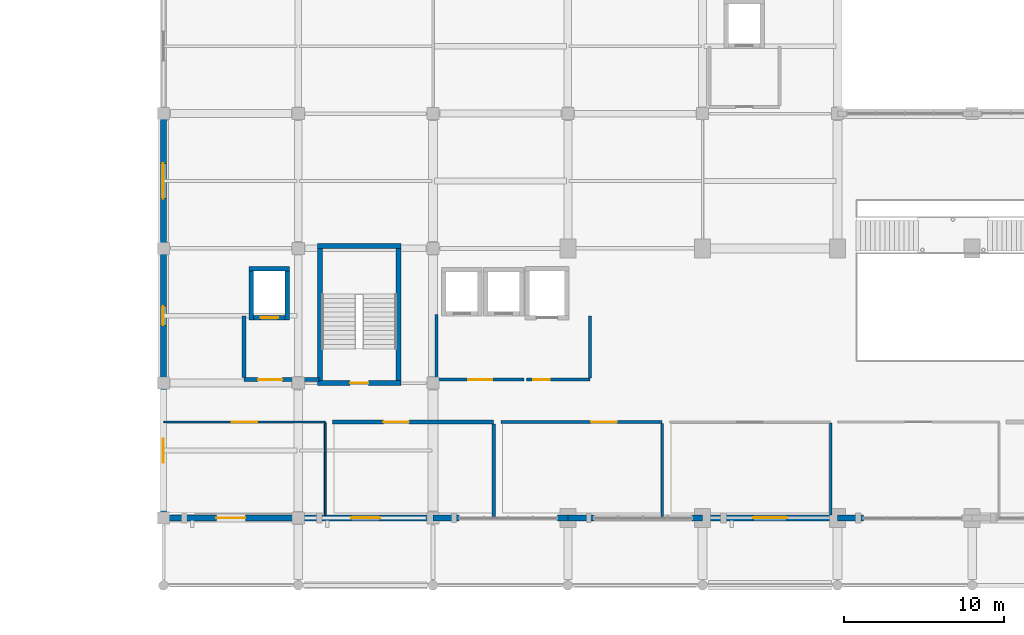
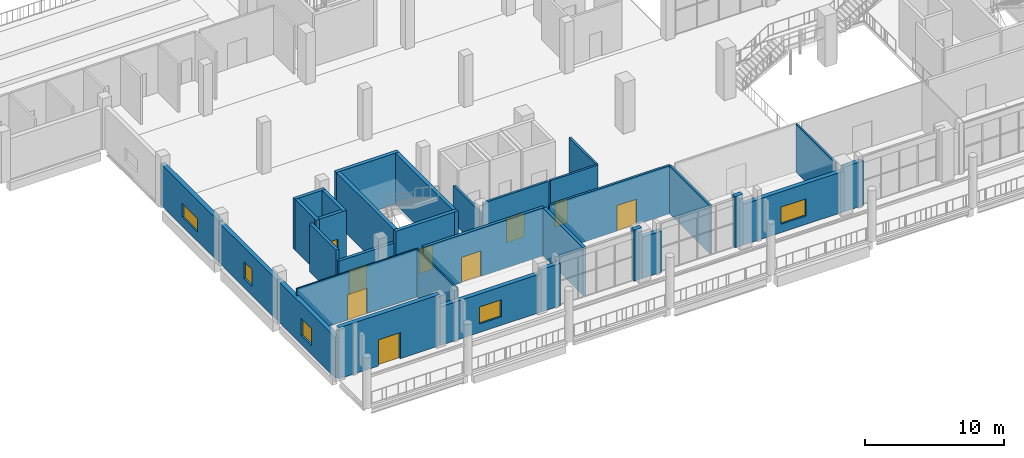
# One storey, part 56 of 75: 32 walls, 9 doors, 5 windows, 14 openings.
"""IFC4 building model written with IfcOpenShell, lengths in metres."""

import ifcopenshell
import ifcopenshell.guid

model = None  # the IFC model being written
_history = None  # IfcOwnerHistory: only IFC2X3 demands one
_inside = {}  # id of a spatial element -> (the spatial element, [elements in it])
_under = {}  # id of a project, library or spatial element -> (it, [spatial elements below it])
_declared = {}  # id of a project -> (the project, [libraries it declares])
_typed = {}  # id of a type object -> (the type object, [elements of that type])
_made_of = {}  # id of a material, layer set ... -> (it, [elements and type objects made of it])


def new_model(schema):
    """Start an empty IFC model of exactly this schema.

    Asked for "IFC4X3", IfcOpenShell would pick the latest addendum, in which some entities
    have other attributes; the version numbers below select the first issue.
    IFC2X3 requires an IfcOwnerHistory on every rooted entity: one is made here for all.
    """
    global model, _history
    if schema == "IFC4X3":
        model = ifcopenshell.file(schema_version=(4, 3, 0, 0))
    else:
        model = ifcopenshell.file(schema=schema)
    _inside.clear()
    _under.clear()
    _declared.clear()
    _typed.clear()
    _made_of.clear()
    _history = None
    if model.schema == "IFC2X3":
        org = make("IfcOrganization", Name="unknown")
        user = make(
            "IfcPersonAndOrganization",
            ThePerson=make("IfcPerson", FamilyName="unknown"),
            TheOrganization=org,
        )
        app = make(
            "IfcApplication",
            ApplicationDeveloper=org,
            Version="unknown",
            ApplicationFullName="unknown",
            ApplicationIdentifier="unknown",
        )
        _history = make(
            "IfcOwnerHistory",
            OwningUser=user,
            OwningApplication=app,
            ChangeAction="ADDED",
            CreationDate=0,
        )
    return model


def make(cls, **values):
    """One entity of the class cls with the attributes given. An attribute that is None is left unset."""
    return model.create_entity(
        cls, **{name: value for name, value in values.items() if value is not None}
    )


def rooted(cls, **values):
    """An entity with a GlobalId (a new one), such as an element, a storey or a relation."""
    return make(cls, GlobalId=ifcopenshell.guid.new(), OwnerHistory=_history, **values)


def si_unit(unit_type, name, prefix=None):
    """IfcSIUnit, for example si_unit("LENGTHUNIT", "METRE", prefix="MILLI")."""
    return make("IfcSIUnit", UnitType=unit_type, Prefix=prefix, Name=name)


def derived_unit(unit_type, elements):
    """IfcDerivedUnit: a product of units, each with its exponent."""
    return make(
        "IfcDerivedUnit",
        Elements=[
            make("IfcDerivedUnitElement", Unit=unit, Exponent=power)
            for unit, power in elements
        ],
        UnitType=unit_type,
    )


def assignment(units):
    """IfcUnitAssignment: the units of a project."""
    return None if units is None else make("IfcUnitAssignment", Units=units)


def point(xyz):
    """IfcCartesianPoint."""
    return None if xyz is None else make("IfcCartesianPoint", Coordinates=xyz)


def direction(xyz):
    """IfcDirection."""
    return None if xyz is None else make("IfcDirection", DirectionRatios=xyz)


def frame(location, z_axis=None, x_axis=None):
    """IfcAxis2Placement3D, a coordinate frame: its origin and axes. An axis left out is left unset."""
    return make(
        "IfcAxis2Placement3D",
        Location=point(location),
        Axis=direction(z_axis),
        RefDirection=direction(x_axis),
    )


def frame_2d(location, x_axis=None):
    """IfcAxis2Placement2D, a coordinate frame in the plane: its origin and x axis."""
    return make(
        "IfcAxis2Placement2D", Location=point(location), RefDirection=direction(x_axis)
    )


def origin():
    """The frame at (0, 0, 0) with its axes left unset."""
    return frame((0.0, 0.0, 0.0))


def place(relative_to, where):
    """IfcLocalPlacement: puts the frame where relative to a parent placement (None: the world)."""
    return make(
        "IfcLocalPlacement", PlacementRelTo=relative_to, RelativePlacement=where
    )


def context(
    kind, dimensions, precision=None, world=None, true_north=None, identifier=None
):
    """IfcGeometricRepresentationContext, for example the 3D "Model" context."""
    return make(
        "IfcGeometricRepresentationContext",
        ContextIdentifier=identifier,
        ContextType=kind,
        CoordinateSpaceDimension=dimensions,
        Precision=precision,
        WorldCoordinateSystem=world,
        TrueNorth=true_north,
    )


def subcontext(parent, identifier, kind, view, scale=None):
    """IfcGeometricRepresentationSubContext, for example "Body" below "Model"."""
    return make(
        "IfcGeometricRepresentationSubContext",
        ContextIdentifier=identifier,
        ContextType=kind,
        ParentContext=parent,
        TargetScale=scale,
        TargetView=view,
    )


def project(units=None, contexts=None):
    """IfcProject with its units and contexts."""
    return rooted(
        "IfcProject",
        Name="project",
        RepresentationContexts=contexts,
        UnitsInContext=assignment(units),
    )


def spatial(cls, under=None, at=None, **own):
    """A site, building, storey or space (cls), placed at a placement, below another one or the project."""
    s = rooted(cls, ObjectPlacement=at, **own)
    if under is not None:
        _under.setdefault(under.id(), (under, []))[1].append(s)
    return s


def profile(cls, at=None, kind="AREA", **sizes):
    """A parametric profile (cls). Its sizes go by their IFC names, for example OverallWidth=200.0."""
    return make(cls, ProfileType=kind, Position=at, **sizes)


def rectangle(**sizes):
    """IfcRectangleProfileDef."""
    return profile("IfcRectangleProfileDef", **sizes)


def extrude(swept, where, along, depth):
    """IfcExtrudedAreaSolid: the profile swept, set in the frame where, extruded along a direction by depth."""
    return make(
        "IfcExtrudedAreaSolid",
        SweptArea=swept,
        Position=where,
        ExtrudedDirection=direction(along),
        Depth=depth,
    )


def shape(context_of_items, identifier, shape_type, items):
    """IfcShapeRepresentation: the items that make up one representation, for example the "Body"."""
    return make(
        "IfcShapeRepresentation",
        ContextOfItems=context_of_items,
        RepresentationIdentifier=identifier,
        RepresentationType=shape_type,
        Items=items,
    )


def material(Name=None, Category=None):
    """IfcMaterial."""
    return make("IfcMaterial", Name=Name, Category=Category)


def layer(
    of_material, thickness, ventilated=None, Name=None, Category=None, Priority=None
):
    """IfcMaterialLayer: one layer of a wall or slab, of a material (None: an air gap)."""
    return make(
        "IfcMaterialLayer",
        Material=of_material,
        LayerThickness=thickness,
        IsVentilated=ventilated,
        Name=Name,
        Category=Category,
        Priority=Priority,
    )


def layer_set(layers, Name=None):
    """IfcMaterialLayerSet."""
    return make("IfcMaterialLayerSet", MaterialLayers=layers, LayerSetName=Name)


def made_of(thing, what):
    """Note that an element or type object is made of a material, layer set ...; save() writes the relation."""
    if what is not None:
        _made_of.setdefault(what.id(), (what, []))[1].append(thing)
    return thing


def type_object(cls, material=None, **own):
    """A type object (cls), such as IfcWallType, which elements share."""
    return made_of(rooted(cls, **own), material)


def element(
    cls,
    number,
    at=None,
    inside=None,
    cuts=None,
    type_object=None,
    material=None,
    context=None,
    identifier="Body",
    shape_type=None,
    held_by="IfcProductDefinitionShape",
    body=None,
    shapes=None,
    **own,
):
    """One element of the class cls, such as IfcWall. Its Tag is "e" and its number.

    at: its placement. inside: the storey or other place that contains it. cuts: it is an
    opening in that element (IfcRelVoidsElement). A single representation is given by context,
    identifier, shape_type and body (its items); several are given by shapes. held_by: the class
    of the entity that holds the representations. save() writes the other relations.
    """
    e = rooted(cls, Tag="e%d" % number, ObjectPlacement=at, **own)
    if body is not None:
        shapes = [shape(context, identifier, shape_type, body)]
    if shapes is not None:
        e.Representation = make(held_by, Representations=shapes)
    if inside is not None:
        _inside.setdefault(inside.id(), (inside, []))[1].append(e)
    if cuts is not None:
        rooted(
            "IfcRelVoidsElement", RelatingBuildingElement=cuts, RelatedOpeningElement=e
        )
    if type_object is not None:
        _typed.setdefault(type_object.id(), (type_object, []))[1].append(e)
    return made_of(e, material)


def fill(opening, filler):
    """IfcRelFillsElement: the door or window that sits in an opening."""
    return rooted(
        "IfcRelFillsElement",
        RelatingOpeningElement=opening,
        RelatedBuildingElement=filler,
    )


def aggregate(whole, parts):
    """IfcRelAggregates: a whole, such as a stair, and the parts it consists of."""
    return rooted("IfcRelAggregates", RelatingObject=whole, RelatedObjects=parts)


def save(model, path):
    """Write the relations noted so far, then the file.

    IfcRelAggregates (storeys below a building ...), IfcRelContainedInSpatialStructure (elements
    in a storey), IfcRelDefinesByType, IfcRelAssociatesMaterial and IfcRelDeclares: one each for
    every whole, place, type object, material and project.
    """
    for whole, parts in _under.values():
        aggregate(whole, parts)
    for where, things in _inside.values():
        rooted(
            "IfcRelContainedInSpatialStructure",
            RelatedElements=things,
            RelatingStructure=where,
        )
    for kind, things in _typed.values():
        rooted("IfcRelDefinesByType", RelatedObjects=things, RelatingType=kind)
    for what, things in _made_of.values():
        rooted("IfcRelAssociatesMaterial", RelatedObjects=things, RelatingMaterial=what)
    for by, libraries in _declared.values():
        rooted("IfcRelDeclares", RelatingContext=by, RelatedDefinitions=libraries)
    model.write(path)


model = new_model("IFC4")

# Units and contexts
model_context = context("Model", 3, precision=1e-05, world=origin(), true_north=direction((0.0, 1.0)))
body_context = subcontext(model_context, "Body", "Model", "MODEL_VIEW")
ifc_project = project(units=[si_unit("LENGTHUNIT", "METRE"), si_unit("AREAUNIT", "SQUARE_METRE"), si_unit("VOLUMEUNIT", "CUBIC_METRE"), si_unit("PLANEANGLEUNIT", "RADIAN"), si_unit("MASSUNIT", "GRAM", prefix="KILO"), derived_unit("THERMALTRANSMITTANCEUNIT", [(si_unit("POWERUNIT", "WATT"), 1), (si_unit("LENGTHUNIT", "METRE"), -2), (si_unit("THERMODYNAMICTEMPERATUREUNIT", "KELVIN"), -1)])], contexts=[model_context])

# Site, building, storey
site_placement = place(None, origin())
site = spatial("IfcSite", under=ifc_project, at=site_placement, CompositionType="ELEMENT")
building_placement = place(site_placement, origin())
building = spatial("IfcBuilding", under=site, at=building_placement, Name="Barrovel Congress Hotel", CompositionType="ELEMENT")
storey_placement = place(building_placement, frame((0.0, 0.0, 5.39990234375)))
storey = spatial("IfcBuildingStorey", under=building, at=storey_placement, Name="L01", CompositionType="ELEMENT", Elevation=5.39990234375)

# Wall, opening, door
ifc_material_1 = material(Name="Fired Clay Brick Masonry", Category="masonry")
ifc_layer_1 = layer(ifc_material_1, 0.360107421875)
ifc_layer_set_1 = layer_set([ifc_layer_1], Name="Fired Clay Brick Masonry")
wall_type_1 = type_object("IfcWallType", Name="EW-BRK360", PredefinedType="STANDARD", material=ifc_layer_set_1)
wall_1_placement = place(storey_placement, frame((16.800048828125, 4.199951171875, 0.0), z_axis=(0.0, 0.0, 1.0), x_axis=(1.0, 0.0, 0.0)))
wall_1 = element("IfcWall", 1, at=wall_1_placement, inside=storey, type_object=wall_type_1, Name="EW:L01:S:02", PredefinedType="STANDARD", context=body_context, shape_type="SweptSolid", body=[
    extrude(rectangle(XDim=8.39990234375, YDim=0.360107421875, at=frame_2d((4.199951171875, 0.0))), origin(), (0.0, 0.0, 1.0), 4.5),
])
opening_1_placement = place(wall_1_placement, frame((5.10009765625, 0.0, 0.0), z_axis=(0.0, 0.0, 1.0), x_axis=(-1.0, 0.0, 0.0)))
opening_1 = element("IfcOpeningElement", 2, at=opening_1_placement, cuts=wall_1, Name="Opening ED-03", PredefinedType="OPENING", context=body_context, shape_type="SweptSolid", body=[
    extrude(rectangle(XDim=1.800048828125, YDim=2.300048828125, at=frame_2d((0.89990234375, 1.14990234375))), frame((0.0, 0.18994140625, 0.0), z_axis=(0.0, -1.0, 0.0), x_axis=(1.0, 0.0, 0.0)), (0.0, 0.0, 1.0), 0.380126953125),
])
ifc_material_2 = material(Name="Anodised Aluminium Glazed Door", Category="aluminium")
door_type_1 = type_object("IfcDoorType", Name="EDR-ED-03", OperationType="NOTDEFINED", PredefinedType="DOOR", material=ifc_material_2)
door_1_placement = place(opening_1_placement, origin())
door_1 = element("IfcDoor", 3, at=door_1_placement, inside=storey, type_object=door_type_1, Name="Arcade Promenade Terrace Door 1", OperationType="DOUBLE_DOOR_SINGLE_SWING", OverallHeight=2.300048828125, OverallWidth=1.800048828125, PredefinedType="DOOR", context=body_context, shape_type="SweptSolid", body=[
    extrude(rectangle(XDim=1.800048828125, YDim=2.300048828125, at=frame_2d((0.89990234375, 1.14990234375))), frame((0.0, 0.02490234375, 0.0), z_axis=(0.0, -1.0, 0.0), x_axis=(1.0, 0.0, 0.0)), (0.0, 0.0, 1.0), 0.050048828125),
])
fill(opening_1, door_1)

# Wall, opening, window
wall_2_placement = place(storey_placement, frame((25.199951171875, 4.199951171875, 0.0), z_axis=(0.0, 0.0, 1.0), x_axis=(1.0, 0.0, 0.0)))
wall_2 = element("IfcWall", 4, at=wall_2_placement, inside=storey, type_object=wall_type_1, Name="EW:L01:S:03", PredefinedType="STANDARD", context=body_context, shape_type="SweptSolid", body=[
    extrude(rectangle(XDim=8.400146484375, YDim=0.360107421875, at=frame_2d((4.2001953125, 0.0))), origin(), (0.0, 0.0, 1.0), 3.39013671875),
])
opening_2_placement = place(wall_2_placement, frame((3.300048828125, 0.0, 0.75)))
opening_2 = element("IfcOpeningElement", 5, at=opening_2_placement, cuts=wall_2, Name="Opening WN-08", PredefinedType="OPENING", context=body_context, shape_type="SweptSolid", body=[
    extrude(rectangle(XDim=1.800048828125, YDim=1.5, at=frame_2d((0.89990234375, 0.75))), frame((0.0, 0.18994140625, 0.0), z_axis=(0.0, -1.0, 0.0), x_axis=(1.0, 0.0, 0.0)), (0.0, 0.0, 1.0), 0.380126953125),
])
ifc_material_3 = material(Name="Double Low-E Insulated Glazing", Category="glass")
window_type_1 = type_object("IfcWindowType", Name="WIN-WN-08", PartitioningType="SINGLE_PANEL", PredefinedType="WINDOW", material=ifc_material_3)
window_1_placement = place(opening_2_placement, origin())
window_1 = element("IfcWindow", 6, at=window_1_placement, inside=storey, type_object=window_type_1, Name="WIN:L01:S:03", OverallHeight=1.5, OverallWidth=1.800048828125, PartitioningType="SINGLE_PANEL", PredefinedType="WINDOW", context=body_context, shape_type="SweptSolid", body=[
    extrude(rectangle(XDim=1.800048828125, YDim=1.5, at=frame_2d((0.89990234375, 0.75))), frame((0.0, 0.030029296875, 0.0), z_axis=(0.0, -1.0, 0.0), x_axis=(1.0, 0.0, 0.0)), (0.0, 0.0, 1.0), 0.06005859375),
])
fill(opening_2, window_1)

# Walls
wall_3_placement = place(storey_placement, frame((33.60009765625, 4.199951171875, 0.0), z_axis=(0.0, 0.0, 1.0), x_axis=(1.0, 0.0, 0.0)))
element("IfcWall", 7, at=wall_3_placement, inside=storey, type_object=wall_type_1, Name="EW:L01:SJ-L:4", PredefinedType="STANDARD", context=body_context, shape_type="SweptSolid", body=[
    extrude(rectangle(XDim=1.619873046875, YDim=0.360107421875, at=frame_2d((0.81005859375, 0.0))), origin(), (0.0, 0.0, 1.0), 3.739990234375),
])
wall_4_placement = place(storey_placement, frame((41.340087890625, 4.199951171875, 0.0), z_axis=(0.0, 0.0, 1.0), x_axis=(1.0, 0.0, 0.0)))
element("IfcWall", 8, at=wall_4_placement, inside=storey, type_object=wall_type_1, Name="EW:L01:SJ-R:4", PredefinedType="STANDARD", context=body_context, shape_type="SweptSolid", body=[
    extrude(rectangle(XDim=0.659912109375, YDim=0.360107421875, at=frame_2d((0.330078125, 0.0))), origin(), (0.0, 0.0, 1.0), 4.5),
])
wall_5_placement = place(storey_placement, frame((42.0, 4.199951171875, 0.0), z_axis=(0.0, 0.0, 1.0), x_axis=(1.0, 0.0, 0.0)))
element("IfcWall", 9, at=wall_5_placement, inside=storey, type_object=wall_type_1, Name="EW:L01:SJ-L:5", PredefinedType="STANDARD", context=body_context, shape_type="SweptSolid", body=[
    extrude(rectangle(XDim=1.6201171875, YDim=0.360107421875, at=frame_2d((0.81005859375, 0.0))), origin(), (0.0, 0.0, 1.0), 3.63720703125),
])
wall_6_placement = place(storey_placement, frame((49.739990234375, 4.199951171875, 0.0), z_axis=(0.0, 0.0, 1.0), x_axis=(1.0, 0.0, 0.0)))
element("IfcWall", 10, at=wall_6_placement, inside=storey, type_object=wall_type_1, Name="EW:L01:SJ-R:5", PredefinedType="STANDARD", context=body_context, shape_type="SweptSolid", body=[
    extrude(rectangle(XDim=0.659912109375, YDim=0.360107421875, at=frame_2d((0.330078125, 0.0))), origin(), (0.0, 0.0, 1.0), 4.5),
])

# Wall, opening, window
wall_7_placement = place(storey_placement, frame((50.39990234375, 4.199951171875, 0.0), z_axis=(0.0, 0.0, 1.0), x_axis=(1.0, 0.0, 0.0)))
wall_7 = element("IfcWall", 11, at=wall_7_placement, inside=storey, type_object=wall_type_1, Name="EW:L01:S:06", PredefinedType="STANDARD", context=body_context, shape_type="SweptSolid", body=[
    extrude(rectangle(XDim=8.400146484375, YDim=0.360107421875, at=frame_2d((4.2001953125, 0.0))), origin(), (0.0, 0.0, 1.0), 3.590087890625),
])
opening_3_placement = place(wall_7_placement, frame((3.14990234375, 0.0, 0.75)))
opening_3 = element("IfcOpeningElement", 12, at=opening_3_placement, cuts=wall_7, Name="Opening WN-09", PredefinedType="OPENING", context=body_context, shape_type="SweptSolid", body=[
    extrude(rectangle(XDim=2.10009765625, YDim=1.5, at=frame_2d((1.050048828125, 0.75))), frame((0.0, 0.18994140625, 0.0), z_axis=(0.0, -1.0, 0.0), x_axis=(1.0, 0.0, 0.0)), (0.0, 0.0, 1.0), 0.380126953125),
])
window_type_2 = type_object("IfcWindowType", Name="WIN-WN-09", PartitioningType="SINGLE_PANEL", PredefinedType="WINDOW", material=ifc_material_3)
window_2_placement = place(opening_3_placement, origin())
window_2 = element("IfcWindow", 13, at=window_2_placement, inside=storey, type_object=window_type_2, Name="WIN:L01:S:06", OverallHeight=1.5, OverallWidth=2.10009765625, PartitioningType="SINGLE_PANEL", PredefinedType="WINDOW", context=body_context, shape_type="SweptSolid", body=[
    extrude(rectangle(XDim=2.10009765625, YDim=1.5, at=frame_2d((1.050048828125, 0.75))), frame((0.0, 0.030029296875, 0.0), z_axis=(0.0, -1.0, 0.0), x_axis=(1.0, 0.0, 0.0)), (0.0, 0.0, 1.0), 0.06005859375),
])
fill(opening_3, window_2)

# Wall
wall_8_placement = place(storey_placement, frame((58.800048828125, 4.199951171875, 0.0), z_axis=(0.0, 0.0, 1.0), x_axis=(1.0, 0.0, 0.0)))
element("IfcWall", 14, at=wall_8_placement, inside=storey, type_object=wall_type_1, Name="EW:L01:SJ-L:7", PredefinedType="STANDARD", context=body_context, shape_type="SweptSolid", body=[
    extrude(rectangle(XDim=1.619873046875, YDim=0.360107421875, at=frame_2d((0.81005859375, 0.0))), origin(), (0.0, 0.0, 1.0), 3.935302734375),
])

# Wall, opening, window
wall_9_placement = place(storey_placement, frame((16.800048828125, 29.39990234375, 0.0), z_axis=(0.0, 0.0, 1.0), x_axis=(0.0, -1.0, 0.0)))
wall_9 = element("IfcWall", 15, at=wall_9_placement, inside=storey, type_object=wall_type_1, Name="EW:L01:V4W:21.0", PredefinedType="STANDARD", context=body_context, shape_type="SweptSolid", body=[
    extrude(rectangle(XDim=8.39990234375, YDim=0.360107421875, at=frame_2d((4.199951171875, 0.0))), origin(), (0.0, 0.0, 1.0), 3.64013671875),
])
opening_4_placement = place(wall_9_placement, frame((3.10009765625, 0.0, 0.800048828125)))
opening_4 = element("IfcOpeningElement", 16, at=opening_4_placement, cuts=wall_9, Name="Opening WN-20", PredefinedType="OPENING", context=body_context, shape_type="SweptSolid", body=[
    extrude(rectangle(XDim=2.199951171875, YDim=1.199951171875, at=frame_2d((1.10009765625, 0.60009765625))), frame((0.0, 0.18994140625, 0.0), z_axis=(0.0, -1.0, 0.0), x_axis=(1.0, 0.0, 0.0)), (0.0, 0.0, 1.0), 0.380126953125),
])
window_type_3 = type_object("IfcWindowType", Name="WIN-WN-20", PartitioningType="SINGLE_PANEL", PredefinedType="WINDOW", material=ifc_material_3)
window_3_placement = place(opening_4_placement, origin())
window_3 = element("IfcWindow", 17, at=window_3_placement, inside=storey, type_object=window_type_3, Name="WIN:L01:V4W:21.0", OverallHeight=1.199951171875, OverallWidth=2.199951171875, PartitioningType="SINGLE_PANEL", PredefinedType="WINDOW", context=body_context, shape_type="SweptSolid", body=[
    extrude(rectangle(XDim=2.199951171875, YDim=1.199951171875, at=frame_2d((1.10009765625, 0.60009765625))), frame((0.0, 0.030029296875, 0.0), z_axis=(0.0, -1.0, 0.0), x_axis=(1.0, 0.0, 0.0)), (0.0, 0.0, 1.0), 0.06005859375),
])
fill(opening_4, window_3)

wall_10_placement = place(storey_placement, frame((16.800048828125, 21.0, 0.0), z_axis=(0.0, 0.0, 1.0), x_axis=(0.0, -1.0, 0.0)))
wall_10 = element("IfcWall", 18, at=wall_10_placement, inside=storey, type_object=wall_type_1, Name="EW:L01:V4W:12.6", PredefinedType="STANDARD", context=body_context, shape_type="SweptSolid", body=[
    extrude(rectangle(XDim=8.39990234375, YDim=0.360107421875, at=frame_2d((4.199951171875, 0.0))), origin(), (0.0, 0.0, 1.0), 3.5400390625),
])
opening_5_placement = place(wall_10_placement, frame((3.60009765625, 0.0, 0.800048828125)))
opening_5 = element("IfcOpeningElement", 19, at=opening_5_placement, cuts=wall_10, Name="Opening WN-01", PredefinedType="OPENING", context=body_context, shape_type="SweptSolid", body=[
    extrude(rectangle(XDim=1.199951171875, YDim=1.5, at=frame_2d((0.60009765625, 0.75))), frame((0.0, 0.18994140625, 0.0), z_axis=(0.0, -1.0, 0.0), x_axis=(1.0, 0.0, 0.0)), (0.0, 0.0, 1.0), 0.380126953125),
])
window_type_4 = type_object("IfcWindowType", Name="WIN-WN-01", PartitioningType="SINGLE_PANEL", PredefinedType="WINDOW", material=ifc_material_3)
window_4_placement = place(opening_5_placement, origin())
window_4 = element("IfcWindow", 20, at=window_4_placement, inside=storey, type_object=window_type_4, Name="WIN:L01:V4W:12.6", OverallHeight=1.5, OverallWidth=1.199951171875, PartitioningType="SINGLE_PANEL", PredefinedType="WINDOW", context=body_context, shape_type="SweptSolid", body=[
    extrude(rectangle(XDim=1.199951171875, YDim=1.5, at=frame_2d((0.60009765625, 0.75))), frame((0.0, 0.030029296875, 0.0), z_axis=(0.0, -1.0, 0.0), x_axis=(1.0, 0.0, 0.0)), (0.0, 0.0, 1.0), 0.06005859375),
])
fill(opening_5, window_4)

wall_11_placement = place(storey_placement, frame((16.800048828125, 12.60009765625, 0.0), z_axis=(0.0, 0.0, 1.0), x_axis=(0.0, -1.0, 0.0)))
wall_11 = element("IfcWall", 21, at=wall_11_placement, inside=storey, type_object=wall_type_1, Name="EW:L01:V4W:4.2", PredefinedType="STANDARD", context=body_context, shape_type="SweptSolid", body=[
    extrude(rectangle(XDim=8.400146484375, YDim=0.360107421875, at=frame_2d((4.2001953125, 0.0))), origin(), (0.0, 0.0, 1.0), 3.590087890625),
])
opening_6_placement = place(wall_11_placement, frame((3.449951171875, 0.0, 0.800048828125)))
opening_6 = element("IfcOpeningElement", 22, at=opening_6_placement, cuts=wall_11, Name="Opening WN-02", PredefinedType="OPENING", context=body_context, shape_type="SweptSolid", body=[
    extrude(rectangle(XDim=1.5, YDim=1.5, at=frame_2d((0.75, 0.75))), frame((0.0, 0.18994140625, 0.0), z_axis=(0.0, -1.0, 0.0), x_axis=(1.0, 0.0, 0.0)), (0.0, 0.0, 1.0), 0.380126953125),
])
window_type_5 = type_object("IfcWindowType", Name="WIN-WN-02", PartitioningType="SINGLE_PANEL", PredefinedType="WINDOW", material=ifc_material_3)
window_5_placement = place(opening_6_placement, origin())
window_5 = element("IfcWindow", 23, at=window_5_placement, inside=storey, type_object=window_type_5, Name="WIN:L01:V4W:4.2", OverallHeight=1.5, OverallWidth=1.5, PartitioningType="SINGLE_PANEL", PredefinedType="WINDOW", context=body_context, shape_type="SweptSolid", body=[
    extrude(rectangle(XDim=1.5, YDim=1.5, at=frame_2d((0.75, 0.75))), frame((0.0, 0.030029296875, 0.0), z_axis=(0.0, -1.0, 0.0), x_axis=(1.0, 0.0, 0.0)), (0.0, 0.0, 1.0), 0.06005859375),
])
fill(opening_6, window_5)

# Wall, opening, door
ifc_material_4 = material(Name="Gypsum Acoustic Stud", Category="gypsum")
ifc_layer_2 = layer(ifc_material_4, 0.179931640625)
ifc_layer_set_2 = layer_set([ifc_layer_2], Name="Gypsum Acoustic Stud")
wall_type_2 = type_object("IfcWallType", Name="PW-ACU-180", PredefinedType="PARTITIONING", material=ifc_layer_set_2)
wall_12_placement = place(storey_placement, frame((33.820068359375, 12.820068359375, 0.0), z_axis=(0.0, 0.0, 1.0), x_axis=(1.0, 0.0, 0.0)))
wall_12 = element("IfcWall", 24, at=wall_12_placement, inside=storey, type_object=wall_type_2, Name="RW:SP:L01:LL-C1:S", PredefinedType="PARTITIONING", context=body_context, shape_type="SweptSolid", body=[
    extrude(rectangle(XDim=5.4599609375, YDim=0.179931640625, at=frame_2d((2.72998046875, 0.0))), origin(), (0.0, 0.0, 1.0), 4.235107421875),
])
opening_7_placement = place(wall_12_placement, frame((1.97998046875, 0.0, 0.0)))
opening_7 = element("IfcOpeningElement", 25, at=opening_7_placement, cuts=wall_12, Name="Opening ID-FFL", PredefinedType="OPENING", context=body_context, shape_type="SweptSolid", body=[
    extrude(rectangle(XDim=1.5, YDim=2.14990234375, at=frame_2d((0.75, 1.074951171875))), frame((0.0, 0.10009765625, 0.0), z_axis=(0.0, -1.0, 0.0), x_axis=(1.0, 0.0, 0.0)), (0.0, 0.0, 1.0), 0.199951171875),
])
ifc_material_5 = material(Name="Painted Hollow-Metal Steel Door", Category="steel")
door_type_2 = type_object("IfcDoorType", Name="IDR-ID-FFL", OperationType="NOTDEFINED", PredefinedType="DOOR", material=ifc_material_5)
door_2_placement = place(opening_7_placement, origin())
door_2 = element("IfcDoor", 26, at=door_2_placement, inside=storey, type_object=door_type_2, Name="RD:SP:L01:LL-C1", OperationType="DOUBLE_DOOR_SINGLE_SWING", OverallHeight=2.14990234375, OverallWidth=1.5, PredefinedType="DOOR", context=body_context, shape_type="SweptSolid", body=[
    extrude(rectangle(XDim=1.5, YDim=2.14990234375, at=frame_2d((0.75, 1.074951171875))), frame((0.0, 0.02490234375, 0.0), z_axis=(0.0, -1.0, 0.0), x_axis=(1.0, 0.0, 0.0)), (0.0, 0.0, 1.0), 0.050048828125),
])
fill(opening_7, door_2)

# Wall
wall_13_placement = place(storey_placement, frame((33.820068359375, 12.909912109375, 0.0), z_axis=(0.0, 0.0, 1.0), x_axis=(0.0, 1.0, 0.0)))
element("IfcWall", 27, at=wall_13_placement, inside=storey, type_object=wall_type_2, Name="RW:SP:L01:LL-C1:W", PredefinedType="PARTITIONING", context=body_context, shape_type="SweptSolid", body=[
    extrude(rectangle(XDim=3.969970703125, YDim=0.179931640625, at=frame_2d((1.98486328125, 0.0))), origin(), (0.0, 0.0, 1.0), 3.2900390625),
])

# Wall, opening, door
wall_14_placement = place(storey_placement, frame((39.419921875, 12.820068359375, 0.0), z_axis=(0.0, 0.0, 1.0), x_axis=(1.0, 0.0, 0.0)))
wall_14 = element("IfcWall", 28, at=wall_14_placement, inside=storey, type_object=wall_type_2, Name="RW:SP:L01:LL-SL1:S", PredefinedType="PARTITIONING", context=body_context, shape_type="SweptSolid", body=[
    extrude(rectangle(XDim=3.9599609375, YDim=0.179931640625, at=frame_2d((1.97998046875, 0.0))), origin(), (0.0, 0.0, 1.0), 4.235107421875),
])
opening_8_placement = place(wall_14_placement, frame((0.419921875, 0.0, 0.0)))
opening_8 = element("IfcOpeningElement", 29, at=opening_8_placement, cuts=wall_14, Name="Opening ID-ACC", PredefinedType="OPENING", context=body_context, shape_type="SweptSolid", body=[
    extrude(rectangle(XDim=1.02001953125, YDim=2.14990234375, at=frame_2d((0.510009765625, 1.074951171875))), frame((0.0, 0.10009765625, 0.0), z_axis=(0.0, -1.0, 0.0), x_axis=(1.0, 0.0, 0.0)), (0.0, 0.0, 1.0), 0.199951171875),
])
ifc_material_6 = material(Name="Solid Oak Acoustic Timber Door", Category="wood")
door_type_3 = type_object("IfcDoorType", Name="IDR-ID-ACC", OperationType="NOTDEFINED", PredefinedType="DOOR", material=ifc_material_6)
door_3_placement = place(opening_8_placement, origin())
door_3 = element("IfcDoor", 30, at=door_3_placement, inside=storey, type_object=door_type_3, Name="RD:SP:L01:LL-SL1", OperationType="SINGLE_SWING_LEFT", OverallHeight=2.14990234375, OverallWidth=1.02001953125, PredefinedType="DOOR", context=body_context, shape_type="SweptSolid", body=[
    extrude(rectangle(XDim=1.02001953125, YDim=2.14990234375, at=frame_2d((0.510009765625, 1.074951171875))), frame((0.0, 0.02490234375, 0.0), z_axis=(0.0, -1.0, 0.0), x_axis=(1.0, 0.0, 0.0)), (0.0, 0.0, 1.0), 0.050048828125),
])
fill(opening_8, door_3)

# Wall
wall_15_placement = place(storey_placement, frame((43.3798828125, 12.909912109375, 0.0), z_axis=(0.0, 0.0, 1.0), x_axis=(0.0, 1.0, 0.0)))
element("IfcWall", 31, at=wall_15_placement, inside=storey, type_object=wall_type_2, Name="RW:SP:L01:LL-SL1:E", PredefinedType="PARTITIONING", context=body_context, shape_type="SweptSolid", body=[
    extrude(rectangle(XDim=3.8701171875, YDim=0.179931640625, at=frame_2d((1.93505859375, 0.0))), origin(), (0.0, 0.0, 1.0), 4.235107421875),
])

# Wall, opening, door
wall_16_placement = place(storey_placement, frame((37.820068359375, 10.179931640625, 0.0), z_axis=(0.0, 0.0, 1.0), x_axis=(1.0, 0.0, 0.0)))
wall_16 = element("IfcWall", 32, at=wall_16_placement, inside=storey, type_object=wall_type_2, Name="RW:SP:L01:BM-03:N", PredefinedType="PARTITIONING", context=body_context, shape_type="SweptSolid", body=[
    extrude(rectangle(XDim=10.059814453125, YDim=0.179931640625, at=frame_2d((5.02978515625, 0.0))), origin(), (0.0, 0.0, 1.0), 4.235107421875),
])
opening_9_placement = place(wall_16_placement, frame((5.6298828125, 0.0, 0.0)))
opening_9 = element("IfcOpeningElement", 33, at=opening_9_placement, cuts=wall_16, Name="Opening ID-MTG", PredefinedType="OPENING", context=body_context, shape_type="SweptSolid", body=[
    extrude(rectangle(XDim=1.60009765625, YDim=2.25, at=frame_2d((0.800048828125, 1.125))), frame((0.0, 0.10009765625, 0.0), z_axis=(0.0, -1.0, 0.0), x_axis=(1.0, 0.0, 0.0)), (0.0, 0.0, 1.0), 0.199951171875),
])
door_type_4 = type_object("IfcDoorType", Name="IDR-ID-MTG", OperationType="NOTDEFINED", PredefinedType="DOOR", material=ifc_material_6)
door_4_placement = place(opening_9_placement, origin())
door_4 = element("IfcDoor", 34, at=door_4_placement, inside=storey, type_object=door_type_4, Name="RD:SP:L01:BM-03", OperationType="DOUBLE_DOOR_SINGLE_SWING", OverallHeight=2.25, OverallWidth=1.60009765625, PredefinedType="DOOR", context=body_context, shape_type="SweptSolid", body=[
    extrude(rectangle(XDim=1.60009765625, YDim=2.25, at=frame_2d((0.800048828125, 1.125))), frame((0.0, 0.02490234375, 0.0), z_axis=(0.0, -1.0, 0.0), x_axis=(1.0, 0.0, 0.0)), (0.0, 0.0, 1.0), 0.050048828125),
])
fill(opening_9, door_4)

# Wall
wall_17_placement = place(storey_placement, frame((47.8798828125, 4.280029296875, 0.0), z_axis=(0.0, 0.0, 1.0), x_axis=(0.0, 1.0, 0.0)))
element("IfcWall", 35, at=wall_17_placement, inside=storey, type_object=wall_type_2, Name="RW:SP:L01:BM-03:E", PredefinedType="PARTITIONING", context=body_context, shape_type="SweptSolid", body=[
    extrude(rectangle(XDim=5.81005859375, YDim=0.179931640625, at=frame_2d((2.905029296875, 0.0))), origin(), (0.0, 0.0, 1.0), 4.235107421875),
])

# Wall, opening, door
ifc_layer_3 = layer(ifc_material_4, 0.10009765625)
ifc_layer_set_3 = layer_set([ifc_layer_3], Name="Gypsum Acoustic Stud")
wall_type_3 = type_object("IfcWallType", Name="PW-LGT-100", PredefinedType="PARTITIONING", material=ifc_layer_set_3)
wall_18_placement = place(storey_placement, frame((16.820068359375, 10.179931640625, 0.0), z_axis=(0.0, 0.0, 1.0), x_axis=(1.0, 0.0, 0.0)))
wall_18 = element("IfcWall", 36, at=wall_18_placement, inside=storey, type_object=wall_type_3, Name="RW:SP:L01:BM-01:N", PredefinedType="PARTITIONING", context=body_context, shape_type="SweptSolid", body=[
    extrude(rectangle(XDim=10.059814453125, YDim=0.10009765625, at=frame_2d((5.02978515625, 0.0))), origin(), (0.0, 0.0, 1.0), 4.235107421875),
])
opening_10_placement = place(wall_18_placement, frame((4.22998046875, 0.0, 0.0)))
opening_10 = element("IfcOpeningElement", 37, at=opening_10_placement, cuts=wall_18, Name="Opening ID-MTG", PredefinedType="OPENING", context=body_context, shape_type="SweptSolid", body=[
    extrude(rectangle(XDim=1.60009765625, YDim=2.25, at=frame_2d((0.800048828125, 1.125))), frame((0.0, 0.06005859375, 0.0), z_axis=(0.0, -1.0, 0.0), x_axis=(1.0, 0.0, 0.0)), (0.0, 0.0, 1.0), 0.1201171875),
])
door_5_placement = place(opening_10_placement, origin())
door_5 = element("IfcDoor", 38, at=door_5_placement, inside=storey, type_object=door_type_4, Name="RD:SP:L01:BM-01", OperationType="DOUBLE_DOOR_SINGLE_SWING", OverallHeight=2.25, OverallWidth=1.60009765625, PredefinedType="DOOR", context=body_context, shape_type="SweptSolid", body=[
    extrude(rectangle(XDim=1.60009765625, YDim=2.25, at=frame_2d((0.800048828125, 1.125))), frame((0.0, 0.02490234375, 0.0), z_axis=(0.0, -1.0, 0.0), x_axis=(1.0, 0.0, 0.0)), (0.0, 0.0, 1.0), 0.050048828125),
])
fill(opening_10, door_5)

# Wall
wall_19_placement = place(storey_placement, frame((26.8798828125, 4.3798828125, 0.0), z_axis=(0.0, 0.0, 1.0), x_axis=(0.0, 1.0, 0.0)))
element("IfcWall", 39, at=wall_19_placement, inside=storey, type_object=wall_type_3, Name="RW:SP:L01:BM-01:E", PredefinedType="PARTITIONING", context=body_context, shape_type="SweptSolid", body=[
    extrude(rectangle(XDim=5.75, YDim=0.10009765625, at=frame_2d((2.875, 0.0))), origin(), (0.0, 0.0, 1.0), 4.235107421875),
])

# Wall, opening, door
ifc_layer_4 = layer(ifc_material_1, 0.239990234375)
ifc_layer_set_4 = layer_set([ifc_layer_4], Name="Fired Clay Brick Masonry")
wall_type_4 = type_object("IfcWallType", Name="PW-MAS-240", PredefinedType="PARTITIONING", material=ifc_layer_set_4)
wall_20_placement = place(storey_placement, frame((21.820068359375, 12.820068359375, 0.0), z_axis=(0.0, 0.0, 1.0), x_axis=(1.0, 0.0, 0.0)))
wall_20 = element("IfcWall", 40, at=wall_20_placement, inside=storey, type_object=wall_type_4, Name="RW:SP:L01:FFL-1:S", PredefinedType="PARTITIONING", context=body_context, shape_type="SweptSolid", body=[
    extrude(rectangle(XDim=4.659912109375, YDim=0.239990234375, at=frame_2d((2.330078125, 0.0))), origin(), (0.0, 0.0, 1.0), 3.340087890625),
])
opening_11_placement = place(wall_20_placement, frame((0.8798828125, 0.0, 0.0)))
opening_11 = element("IfcOpeningElement", 41, at=opening_11_placement, cuts=wall_20, Name="Opening ID-FFL", PredefinedType="OPENING", context=body_context, shape_type="SweptSolid", body=[
    extrude(rectangle(XDim=1.5, YDim=2.14990234375, at=frame_2d((0.75, 1.074951171875))), frame((0.0, 0.1298828125, 0.0), z_axis=(0.0, -1.0, 0.0), x_axis=(1.0, 0.0, 0.0)), (0.0, 0.0, 1.0), 0.260009765625),
])
door_6_placement = place(opening_11_placement, origin())
door_6 = element("IfcDoor", 42, at=door_6_placement, inside=storey, type_object=door_type_2, Name="RD:SP:L01:FFL-1", OperationType="DOUBLE_DOOR_SINGLE_SWING", OverallHeight=2.14990234375, OverallWidth=1.5, PredefinedType="DOOR", context=body_context, shape_type="SweptSolid", body=[
    extrude(rectangle(XDim=1.5, YDim=2.14990234375, at=frame_2d((0.75, 1.074951171875))), frame((0.0, 0.02490234375, 0.0), z_axis=(0.0, -1.0, 0.0), x_axis=(1.0, 0.0, 0.0)), (0.0, 0.0, 1.0), 0.050048828125),
])
fill(opening_11, door_6)

# Wall
wall_21_placement = place(storey_placement, frame((21.820068359375, 12.93994140625, 0.0), z_axis=(0.0, 0.0, 1.0), x_axis=(0.0, 1.0, 0.0)))
element("IfcWall", 43, at=wall_21_placement, inside=storey, type_object=wall_type_4, Name="RW:SP:L01:FFL-1:W", PredefinedType="PARTITIONING", context=body_context, shape_type="SweptSolid", body=[
    extrude(rectangle(XDim=3.840087890625, YDim=0.239990234375, at=frame_2d((1.919921875, 0.0))), origin(), (0.0, 0.0, 1.0), 4.235107421875),
])

# Wall, opening, door
wall_22_placement = place(storey_placement, frame((27.320068359375, 10.179931640625, 0.0), z_axis=(0.0, 0.0, 1.0), x_axis=(1.0, 0.0, 0.0)))
wall_22 = element("IfcWall", 44, at=wall_22_placement, inside=storey, type_object=wall_type_4, Name="RW:SP:L01:BM-02:N", PredefinedType="PARTITIONING", context=body_context, shape_type="SweptSolid", body=[
    extrude(rectangle(XDim=10.059814453125, YDim=0.239990234375, at=frame_2d((5.02978515625, 0.0))), origin(), (0.0, 0.0, 1.0), 4.235107421875),
])
opening_12_placement = place(wall_22_placement, frame((3.179931640625, 0.0, 0.0)))
opening_12 = element("IfcOpeningElement", 45, at=opening_12_placement, cuts=wall_22, Name="Opening ID-MTG", PredefinedType="OPENING", context=body_context, shape_type="SweptSolid", body=[
    extrude(rectangle(XDim=1.60009765625, YDim=2.25, at=frame_2d((0.800048828125, 1.125))), frame((0.0, 0.1298828125, 0.0), z_axis=(0.0, -1.0, 0.0), x_axis=(1.0, 0.0, 0.0)), (0.0, 0.0, 1.0), 0.260009765625),
])
door_7_placement = place(opening_12_placement, origin())
door_7 = element("IfcDoor", 46, at=door_7_placement, inside=storey, type_object=door_type_4, Name="RD:SP:L01:BM-02", OperationType="DOUBLE_DOOR_SINGLE_SWING", OverallHeight=2.25, OverallWidth=1.60009765625, PredefinedType="DOOR", context=body_context, shape_type="SweptSolid", body=[
    extrude(rectangle(XDim=1.60009765625, YDim=2.25, at=frame_2d((0.800048828125, 1.125))), frame((0.0, 0.02490234375, 0.0), z_axis=(0.0, -1.0, 0.0), x_axis=(1.0, 0.0, 0.0)), (0.0, 0.0, 1.0), 0.050048828125),
])
fill(opening_12, door_7)

# Walls
wall_23_placement = place(storey_placement, frame((37.3798828125, 4.280029296875, 0.0), z_axis=(0.0, 0.0, 1.0), x_axis=(0.0, 1.0, 0.0)))
element("IfcWall", 47, at=wall_23_placement, inside=storey, type_object=wall_type_4, Name="RW:SP:L01:BM-02:E", PredefinedType="PARTITIONING", context=body_context, shape_type="SweptSolid", body=[
    extrude(rectangle(XDim=5.780029296875, YDim=0.239990234375, at=frame_2d((2.89013671875, 0.0))), origin(), (0.0, 0.0, 1.0), 4.235107421875),
])
ifc_layer_5 = layer(ifc_material_4, 0.14990234375)
ifc_layer_set_5 = layer_set([ifc_layer_5], Name="Gypsum Acoustic Stud")
wall_type_5 = type_object("IfcWallType", Name="PW-STD-150", PredefinedType="PARTITIONING", material=ifc_layer_set_5)
wall_24_placement = place(storey_placement, frame((58.3798828125, 4.3798828125, 0.0), z_axis=(0.0, 0.0, 1.0), x_axis=(0.0, 1.0, 0.0)))
element("IfcWall", 48, at=wall_24_placement, inside=storey, type_object=wall_type_5, Name="RW:SP:L01:BM-04:E", PredefinedType="PARTITIONING", context=body_context, shape_type="SweptSolid", body=[
    extrude(rectangle(XDim=5.72509765625, YDim=0.14990234375, at=frame_2d((2.862548828125, 0.0))), origin(), (0.0, 0.0, 1.0), 4.235107421875),
])

# Wall, opening, door
ifc_material_7 = material(Name="Concrete C40", Category="concrete")
ifc_layer_6 = layer(ifc_material_7, 0.280029296875)
ifc_layer_set_6 = layer_set([ifc_layer_6], Name="Concrete C40")
wall_type_6 = type_object("IfcWallType", Name="SW-C40-280", PredefinedType="SHEAR", material=ifc_layer_set_6)
wall_25_placement = place(storey_placement, frame((22.139892578125, 16.679931640625, 0.0), z_axis=(0.0, 0.0, 1.0), x_axis=(1.0, 0.0, 0.0)))
wall_25 = element("IfcWall", 49, at=wall_25_placement, inside=storey, type_object=wall_type_6, Name="LSH:FL-1:L01:S", PredefinedType="SHEAR", context=body_context, shape_type="SweptSolid", body=[
    extrude(rectangle(XDim=2.52001953125, YDim=0.280029296875, at=frame_2d((1.260009765625, 0.0))), origin(), (0.0, 0.0, 1.0), 4.5),
])
opening_13_placement = place(wall_25_placement, frame((0.7099609375, 0.0, 0.0)))
opening_13 = element("IfcOpeningElement", 50, at=opening_13_placement, cuts=wall_25, Name="Opening LD-FF", PredefinedType="OPENING", context=body_context, shape_type="SweptSolid", body=[
    extrude(rectangle(XDim=1.10009765625, YDim=2.199951171875, at=frame_2d((0.550048828125, 1.10009765625))), frame((0.0, 0.14990234375, 0.0), z_axis=(0.0, -1.0, 0.0), x_axis=(1.0, 0.0, 0.0)), (0.0, 0.0, 1.0), 0.300048828125),
])
ifc_material_8 = material(Name="Brushed Stainless Steel", Category="steel")
door_type_5 = type_object("IfcDoorType", Name="IDR-LD-FF", OperationType="NOTDEFINED", PredefinedType="DOOR", material=ifc_material_8)
door_8_placement = place(opening_13_placement, origin())
door_8 = element("IfcDoor", 51, at=door_8_placement, inside=storey, type_object=door_type_5, Name="Lift Landing Door LD-FL-1-L01", OperationType="SLIDING_TO_LEFT", OverallHeight=2.199951171875, OverallWidth=1.10009765625, PredefinedType="DOOR", context=body_context, shape_type="SweptSolid", body=[
    extrude(rectangle(XDim=1.10009765625, YDim=2.199951171875, at=frame_2d((0.550048828125, 1.10009765625))), frame((0.0, 0.02490234375, 0.0), z_axis=(0.0, -1.0, 0.0), x_axis=(1.0, 0.0, 0.0)), (0.0, 0.0, 1.0), 0.050048828125),
])
fill(opening_13, door_8)

# Walls
wall_26_placement = place(storey_placement, frame((24.52001953125, 16.5400390625, 0.0), z_axis=(0.0, 0.0, 1.0), x_axis=(0.0, 1.0, 0.0)))
element("IfcWall", 52, at=wall_26_placement, inside=storey, type_object=wall_type_6, Name="LSH:FL-1:L01:E", PredefinedType="SHEAR", context=body_context, shape_type="SweptSolid", body=[
    extrude(rectangle(XDim=3.320068359375, YDim=0.280029296875, at=frame_2d((1.66015625, 0.0))), origin(), (0.0, 0.0, 1.0), 4.5),
])
wall_27_placement = place(storey_placement, frame((24.659912109375, 19.719970703125, 0.0), z_axis=(0.0, 0.0, 1.0), x_axis=(-1.0, 0.0, 0.0)))
element("IfcWall", 53, at=wall_27_placement, inside=storey, type_object=wall_type_6, Name="LSH:FL-1:L01:N", PredefinedType="SHEAR", context=body_context, shape_type="SweptSolid", body=[
    extrude(rectangle(XDim=2.52001953125, YDim=0.280029296875, at=frame_2d((1.260009765625, 0.0))), origin(), (0.0, 0.0, 1.0), 4.5),
])
wall_28_placement = place(storey_placement, frame((22.280029296875, 19.860107421875, 0.0), z_axis=(0.0, 0.0, 1.0), x_axis=(0.0, -1.0, 0.0)))
element("IfcWall", 54, at=wall_28_placement, inside=storey, type_object=wall_type_6, Name="LSH:FL-1:L01:W", PredefinedType="SHEAR", context=body_context, shape_type="SweptSolid", body=[
    extrude(rectangle(XDim=3.320068359375, YDim=0.280029296875, at=frame_2d((1.66015625, 0.0))), origin(), (0.0, 0.0, 1.0), 4.5),
])

# Wall, opening, door
ifc_layer_7 = layer(ifc_material_7, 0.300048828125)
ifc_layer_set_7 = layer_set([ifc_layer_7], Name="Concrete C40")
wall_type_7 = type_object("IfcWallType", Name="SW-C40-300", PredefinedType="SHEAR", material=ifc_layer_set_7)
wall_29_placement = place(storey_placement, frame((26.39990234375, 12.610107421875, 0.0), z_axis=(0.0, 0.0, 1.0), x_axis=(1.0, 0.0, 0.0)))
wall_29 = element("IfcWall", 55, at=wall_29_placement, inside=storey, type_object=wall_type_7, Name="SHW:XS-01:L01:S", PredefinedType="SHEAR", context=body_context, shape_type="SweptSolid", body=[
    extrude(rectangle(XDim=5.2001953125, YDim=0.300048828125, at=frame_2d((2.60009765625, 0.0))), origin(), (0.0, 0.0, 1.0), 4.5),
])
opening_14_placement = place(wall_29_placement, frame((2.02490234375, 0.0, 0.0)))
opening_14 = element("IfcOpeningElement", 56, at=opening_14_placement, cuts=wall_29, Name="Opening ID-ST1", PredefinedType="OPENING", context=body_context, shape_type="SweptSolid", body=[
    extrude(rectangle(XDim=1.14990234375, YDim=2.14990234375, at=frame_2d((0.574951171875, 1.074951171875))), frame((0.0, 0.16015625, 0.0), z_axis=(0.0, -1.0, 0.0), x_axis=(1.0, 0.0, 0.0)), (0.0, 0.0, 1.0), 0.320068359375),
])
door_type_6 = type_object("IfcDoorType", Name="IDR-ID-ST1", OperationType="NOTDEFINED", PredefinedType="DOOR", material=ifc_material_5)
door_9_placement = place(opening_14_placement, origin())
door_9 = element("IfcDoor", 57, at=door_9_placement, inside=storey, type_object=door_type_6, Name="Stair Core Fire Door XS-01-L01", OperationType="SINGLE_SWING_LEFT", OverallHeight=2.14990234375, OverallWidth=1.14990234375, PredefinedType="DOOR", context=body_context, shape_type="SweptSolid", body=[
    extrude(rectangle(XDim=1.14990234375, YDim=2.14990234375, at=frame_2d((0.574951171875, 1.074951171875))), frame((0.0, 0.02490234375, 0.0), z_axis=(0.0, -1.0, 0.0), x_axis=(1.0, 0.0, 0.0)), (0.0, 0.0, 1.0), 0.050048828125),
])
fill(opening_14, door_9)

# Walls
wall_30_placement = place(storey_placement, frame((31.449951171875, 12.4599609375, 0.0), z_axis=(0.0, 0.0, 1.0), x_axis=(0.0, 1.0, 0.0)))
element("IfcWall", 58, at=wall_30_placement, inside=storey, type_object=wall_type_7, Name="SHW:XS-01:L01:E", PredefinedType="SHEAR", context=body_context, shape_type="SweptSolid", body=[
    extrude(rectangle(XDim=8.840087890625, YDim=0.300048828125, at=frame_2d((4.419921875, 0.0))), origin(), (0.0, 0.0, 1.0), 4.5),
])
wall_31_placement = place(storey_placement, frame((31.60009765625, 21.14990234375, 0.0), z_axis=(0.0, 0.0, 1.0), x_axis=(-1.0, 0.0, 0.0)))
element("IfcWall", 59, at=wall_31_placement, inside=storey, type_object=wall_type_7, Name="SHW:XS-01:L01:N", PredefinedType="SHEAR", context=body_context, shape_type="SweptSolid", body=[
    extrude(rectangle(XDim=5.2001953125, YDim=0.300048828125, at=frame_2d((2.60009765625, 0.0))), origin(), (0.0, 0.0, 1.0), 4.5),
])
wall_32_placement = place(storey_placement, frame((26.550048828125, 21.300048828125, 0.0), z_axis=(0.0, 0.0, 1.0), x_axis=(0.0, -1.0, 0.0)))
element("IfcWall", 60, at=wall_32_placement, inside=storey, type_object=wall_type_7, Name="SHW:XS-01:L01:W", PredefinedType="SHEAR", context=body_context, shape_type="SweptSolid", body=[
    extrude(rectangle(XDim=8.840087890625, YDim=0.300048828125, at=frame_2d((4.419921875, 0.0))), origin(), (0.0, 0.0, 1.0), 4.5),
])

save(model, "model.ifc")
